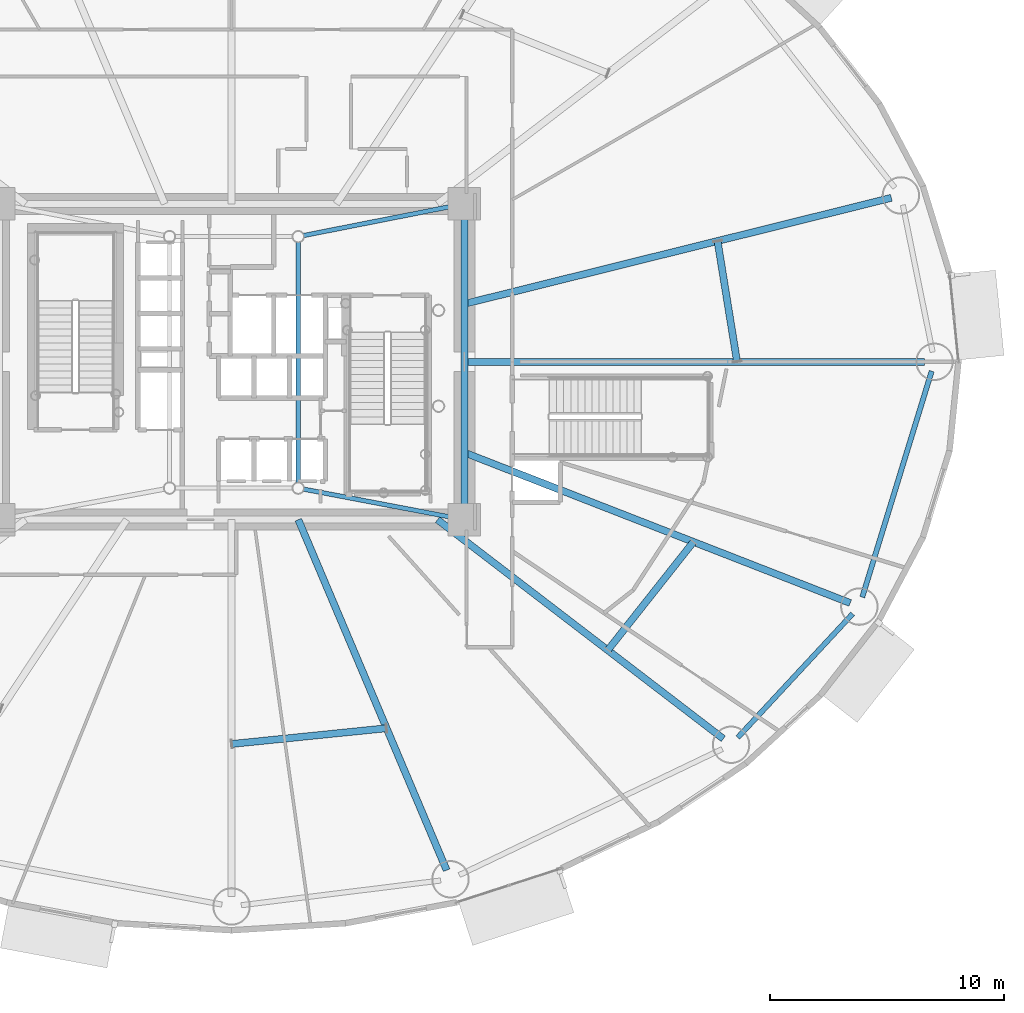
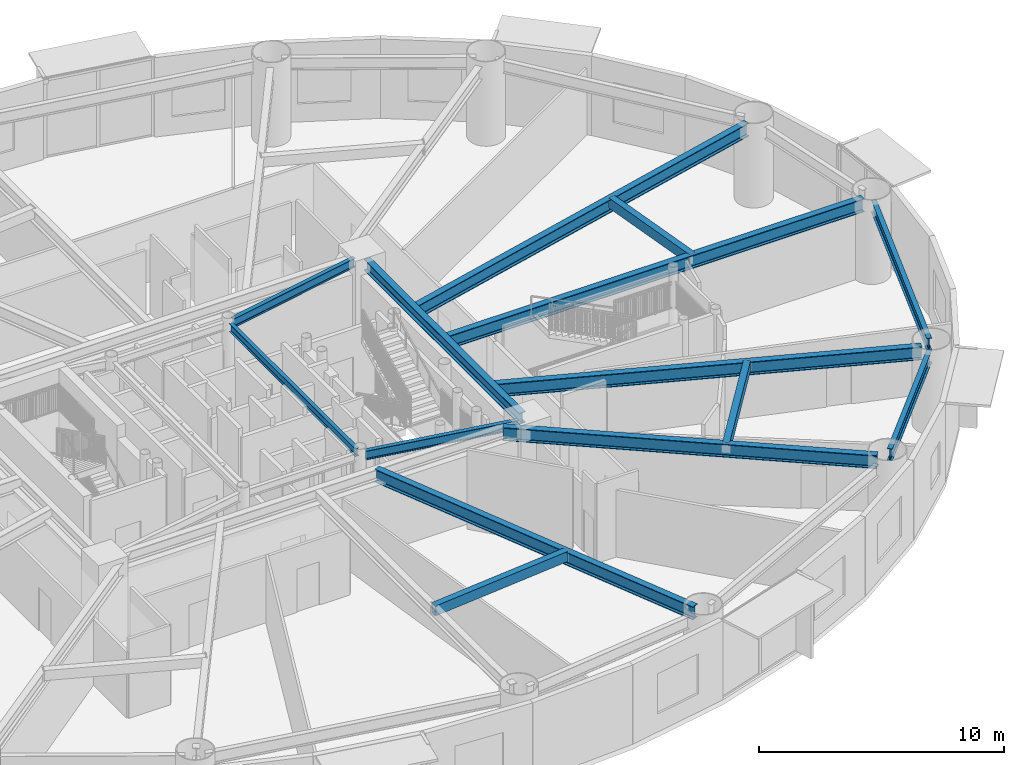
# One storey, part 8 of 35: 14 beams.
"""IFC4 building model written with IfcOpenShell, lengths in metres."""

from ifc_helpers import new_model, si_unit, direction, frame, origin, origin_2d, place, context, subcontext, project, spatial, hollow_rectangle, i_section, extrude, material, material_profile, profile_set, type_object, element, save


model = new_model("IFC4")

# Units and contexts
model_context = context("Model", 3, precision=1e-05, world=origin(), true_north=direction((0.0, 1.0)))
body_context = subcontext(model_context, "Body", "Model", "MODEL_VIEW")
ifc_project = project(units=[si_unit("LENGTHUNIT", "METRE"), si_unit("AREAUNIT", "SQUARE_METRE"), si_unit("VOLUMEUNIT", "CUBIC_METRE"), si_unit("PLANEANGLEUNIT", "RADIAN"), si_unit("MASSUNIT", "GRAM", prefix="KILO")], contexts=[model_context])

# Site, building, storey
site_placement = place(None, origin())
site = spatial("IfcSite", under=ifc_project, at=site_placement, CompositionType="ELEMENT")
building_placement = place(site_placement, origin())
building = spatial("IfcBuilding", under=site, at=building_placement, Name="Linh Dai School and Residence Tower", CompositionType="ELEMENT")
storey_placement = place(building_placement, frame((0.0, 0.0, 49.199951171875)))
storey = spatial("IfcBuildingStorey", under=building, at=storey_placement, Name="L11", CompositionType="ELEMENT", Elevation=49.199951171875)

# Beams
ifc_material = material(Name="Structural Steel S355JR", Category="steel")
ifc_material_profile_1 = material_profile(ifc_material, hollow_rectangle(XDim=0.300048828125, YDim=0.5, WallThickness=0.01611328125, at=origin_2d()), Name="RHS 500x300x16")
ifc_profile_set_1 = profile_set([ifc_material_profile_1], Name="Structural Steel S355JR")
beam_type_1 = type_object("IfcBeamType", Name="BM-BX5", PredefinedType="BEAM", material=ifc_profile_set_1)
beam_1_placement = place(storey_placement, frame((57.607177734375, 27.0048828125, 3.699951171875), z_axis=(-0.159632523434, 0.987176507754, 0.0), x_axis=(-0.987176507754, -0.159632523434, 0.0)))
element("IfcBeam", 1, at=beam_1_placement, inside=storey, type_object=beam_type_1, Name="L11 Secondary Circumferential Floor Beam 01", PredefinedType="BEAM", context=body_context, shape_type="SweptSolid", body=[
    extrude(hollow_rectangle(XDim=0.300048828125, YDim=0.5, WallThickness=0.01611328125, at=origin_2d()), origin(), (0.0, 0.0, 1.0), 5.21826171875),
])
beam_2_placement = place(storey_placement, frame((36.0048828125, 10.6630859375, 3.699951171875), z_axis=(0.99488448114, 0.10101915257, 0.0), x_axis=(-0.10101915257, 0.99488448114, 0.0)))
element("IfcBeam", 2, at=beam_2_placement, inside=storey, type_object=beam_type_1, Name="L11 Secondary Circumferential Floor Beam 07", PredefinedType="BEAM", context=body_context, shape_type="SweptSolid", body=[
    extrude(hollow_rectangle(XDim=0.300048828125, YDim=0.5, WallThickness=0.01611328125, at=origin_2d()), origin(), (0.0, 0.0, 1.0), 6.65087890625),
])
beam_3_placement = place(storey_placement, frame((52.085693359375, 14.6748046875, 3.699951171875), z_axis=(0.620188156993, 0.784453089691, 0.0), x_axis=(-0.784453089691, 0.620188156993, 0.0)))
element("IfcBeam", 3, at=beam_3_placement, inside=storey, type_object=beam_type_1, Name="L11 Secondary Circumferential Floor Beam 08", PredefinedType="BEAM", context=body_context, shape_type="SweptSolid", body=[
    extrude(hollow_rectangle(XDim=0.300048828125, YDim=0.5, WallThickness=0.01611328125, at=origin_2d()), origin(), (0.0, 0.0, 1.0), 5.89306640625),
])
ifc_material_profile_2 = material_profile(ifc_material, i_section(OverallWidth=0.219970703125, OverallDepth=0.60009765625, WebThickness=0.011962890625, FlangeThickness=0.01904296875, FilletRadius=0.02392578125, at=origin_2d()), Name="IPE 600")
ifc_profile_set_2 = profile_set([ifc_material_profile_2], Name="Structural Steel S355JR")
beam_type_2 = type_object("IfcBeamType", Name="BM-RB60", PredefinedType="BEAM", material=ifc_profile_set_2)
beam_4_placement = place(storey_placement, frame((57.638427734375, 10.938720703125, 3.650146484375), z_axis=(0.680408287194, 0.732833243458, 0.0), x_axis=(-0.732833243458, 0.680408287194, 0.0)))
element("IfcBeam", 4, at=beam_4_placement, inside=storey, type_object=beam_type_2, Name="L11 Perimeter Elliptical Ring Beam 15", PredefinedType="BEAM", context=body_context, shape_type="SweptSolid", body=[
    extrude(i_section(OverallWidth=0.219970703125, OverallDepth=0.60009765625, WebThickness=0.011962890625, FlangeThickness=0.01904296875, FilletRadius=0.02392578125, at=origin_2d()), origin(), (0.0, 0.0, 1.0), 7.21826171875),
])
beam_5_placement = place(storey_placement, frame((62.958740234375, 16.937744140625, 3.650146484375), z_axis=(0.293673329015, 0.95590584046, 0.0), x_axis=(-0.95590584046, 0.293673329015, 0.0)))
element("IfcBeam", 5, at=beam_5_placement, inside=storey, type_object=beam_type_2, Name="L11 Perimeter Elliptical Ring Beam 16", PredefinedType="BEAM", context=body_context, shape_type="SweptSolid", body=[
    extrude(i_section(OverallWidth=0.219970703125, OverallDepth=0.60009765625, WebThickness=0.011962890625, FlangeThickness=0.01904296875, FilletRadius=0.02392578125, at=origin_2d()), origin(), (0.0, 0.0, 1.0), 10.1064453125),
])
ifc_material_profile_3 = material_profile(ifc_material, i_section(OverallWidth=0.300048828125, OverallDepth=0.550048828125, WebThickness=0.014892578125, FlangeThickness=0.029052734375, FilletRadius=0.027099609375, at=origin_2d()), Name="HEB 550")
ifc_profile_set_3 = profile_set([ifc_material_profile_3], Name="Structural Steel S355JR")
beam_type_3 = type_object("IfcBeamType", Name="BM-RG55", PredefinedType="BEAM", material=ifc_profile_set_3)
beam_6_placement = place(storey_placement, frame((45.949951171875, 20.669921875, 3.675048828125), z_axis=(0.0, 1.0, 0.0), x_axis=(-1.0, 0.0, 0.0)))
element("IfcBeam", 6, at=beam_6_placement, inside=storey, type_object=beam_type_3, Name="L11 Core Perimeter Coupling Girder 2", PredefinedType="BEAM", context=body_context, shape_type="SweptSolid", body=[
    extrude(i_section(OverallWidth=0.300048828125, OverallDepth=0.550048828125, WebThickness=0.014892578125, FlangeThickness=0.029052734375, FilletRadius=0.027099609375, at=origin_2d()), origin(), (0.0, 0.0, 1.0), 12.66015625),
])
ifc_material_profile_4 = material_profile(ifc_material, i_section(OverallWidth=0.300048828125, OverallDepth=0.64990234375, WebThickness=0.01611328125, FlangeThickness=0.031005859375, FilletRadius=0.027099609375, at=origin_2d()), Name="HEB 650")
ifc_profile_set_4 = profile_set([ifc_material_profile_4], Name="Structural Steel S355JR")
beam_type_4 = type_object("IfcBeamType", Name="BM-RG65", PredefinedType="BEAM", material=ifc_profile_set_4)
beam_7_placement = place(storey_placement, frame((45.949951171875, 27.0, 3.625), z_axis=(1.0, 0.0, 0.0), x_axis=(0.0, 1.0, 0.0)))
element("IfcBeam", 7, at=beam_7_placement, inside=storey, type_object=beam_type_4, Name="L11 Primary Radial Floor Girder 01", PredefinedType="BEAM", context=body_context, shape_type="SweptSolid", body=[
    extrude(i_section(OverallWidth=0.300048828125, OverallDepth=0.64990234375, WebThickness=0.01611328125, FlangeThickness=0.031005859375, FilletRadius=0.027099609375, at=origin_2d()), origin(), (0.0, 0.0, 1.0), 19.679931640625),
])
beam_8_placement = place(storey_placement, frame((45.949951171875, 29.47216796875, 3.625), z_axis=(0.970493481328, 0.241127357843, 0.0), x_axis=(-0.241127357843, 0.970493481328, 0.0)))
element("IfcBeam", 8, at=beam_8_placement, inside=storey, type_object=beam_type_4, Name="L11 Primary Radial Floor Girder 02", PredefinedType="BEAM", context=body_context, shape_type="SweptSolid", body=[
    extrude(i_section(OverallWidth=0.300048828125, OverallDepth=0.64990234375, WebThickness=0.01611328125, FlangeThickness=0.031005859375, FilletRadius=0.027099609375, at=origin_2d()), origin(), (0.0, 0.0, 1.0), 18.80810546875),
])
beam_9_placement = place(storey_placement, frame((38.85546875, 20.25, 3.625), z_axis=(0.38962432485, -0.920973878829, 0.0), x_axis=(0.920973878829, 0.38962432485, 0.0)))
element("IfcBeam", 9, at=beam_9_placement, inside=storey, type_object=beam_type_4, Name="L11 Primary Radial Floor Girder 14", PredefinedType="BEAM", context=body_context, shape_type="SweptSolid", body=[
    extrude(i_section(OverallWidth=0.300048828125, OverallDepth=0.64990234375, WebThickness=0.01611328125, FlangeThickness=0.031005859375, FilletRadius=0.027099609375, at=origin_2d()), origin(), (0.0, 0.0, 1.0), 16.2685546875),
])
beam_10_placement = place(storey_placement, frame((44.804931640625, 20.25, 3.625), z_axis=(0.793637764155, -0.608390581212, 0.0), x_axis=(0.608390581212, 0.793637764155, 0.0)))
element("IfcBeam", 10, at=beam_10_placement, inside=storey, type_object=beam_type_4, Name="L11 Primary Radial Floor Girder 15", PredefinedType="BEAM", context=body_context, shape_type="SweptSolid", body=[
    extrude(i_section(OverallWidth=0.300048828125, OverallDepth=0.64990234375, WebThickness=0.01611328125, FlangeThickness=0.031005859375, FilletRadius=0.027099609375, at=origin_2d()), origin(), (0.0, 0.0, 1.0), 15.390625),
])
beam_11_placement = place(storey_placement, frame((45.949951171875, 23.120361328125, 3.625), z_axis=(0.93167509369, -0.363292609061, 0.0), x_axis=(0.363292609061, 0.93167509369, 0.0)))
element("IfcBeam", 11, at=beam_11_placement, inside=storey, type_object=beam_type_4, Name="L11 Primary Radial Floor Girder 16", PredefinedType="BEAM", context=body_context, shape_type="SweptSolid", body=[
    extrude(i_section(OverallWidth=0.300048828125, OverallDepth=0.64990234375, WebThickness=0.01611328125, FlangeThickness=0.031005859375, FilletRadius=0.027099609375, at=origin_2d()), origin(), (0.0, 0.0, 1.0), 17.703857421875),
])
ifc_material_profile_5 = material_profile(ifc_material, i_section(OverallWidth=0.179931640625, OverallDepth=0.39990234375, WebThickness=0.008544921875, FlangeThickness=0.013427734375, FilletRadius=0.02099609375, at=origin_2d()), Name="IPE 400")
ifc_profile_set_5 = profile_set([ifc_material_profile_5], Name="Structural Steel S355JR")
beam_type_5 = type_object("IfcBeamType", Name="BM-SB40", PredefinedType="BEAM", material=ifc_profile_set_5)
beam_12_placement = place(storey_placement, frame((38.85009765625, 21.823974609375, 3.75), z_axis=(0.0, 1.0, 0.0), x_axis=(-1.0, 0.0, 0.0)))
element("IfcBeam", 12, at=beam_12_placement, inside=storey, type_object=beam_type_5, Name="L11 Core Mast Pier Tie Beam 2", PredefinedType="BEAM", context=body_context, shape_type="SweptSolid", body=[
    extrude(i_section(OverallWidth=0.179931640625, OverallDepth=0.39990234375, WebThickness=0.008544921875, FlangeThickness=0.013427734375, FilletRadius=0.02099609375, at=origin_2d()), origin(), (0.0, 0.0, 1.0), 10.302001953125),
])
ifc_material_profile_6 = material_profile(ifc_material, i_section(OverallWidth=0.18994140625, OverallDepth=0.449951171875, WebThickness=0.009521484375, FlangeThickness=0.0146484375, FilletRadius=0.02099609375, at=origin_2d()), Name="IPE 450")
ifc_profile_set_6 = profile_set([ifc_material_profile_6], Name="Structural Steel S355JR")
beam_type_6 = type_object("IfcBeamType", Name="BM-SB45", PredefinedType="BEAM", material=ifc_profile_set_6)
beam_13_placement = place(storey_placement, frame((45.537353515625, 20.328369140625, 3.72509765625), z_axis=(-0.982397918823, 0.186800238471, 0.0), x_axis=(-0.186800238471, -0.982397918823, 0.0)))
element("IfcBeam", 13, at=beam_13_placement, inside=storey, type_object=beam_type_6, Name="L11 Core Corner-to-Mast Pier Beam 2", PredefinedType="BEAM", context=body_context, shape_type="SweptSolid", body=[
    extrude(i_section(OverallWidth=0.18994140625, OverallDepth=0.449951171875, WebThickness=0.009521484375, FlangeThickness=0.0146484375, FilletRadius=0.02099609375, at=origin_2d()), origin(), (0.0, 0.0, 1.0), 6.583251953125),
])
beam_14_placement = place(storey_placement, frame((45.537841796875, 33.668701171875, 3.72509765625), z_axis=(-0.981108354988, -0.193459028666, 0.0), x_axis=(0.193459028666, -0.981108354988, 0.0)))
element("IfcBeam", 14, at=beam_14_placement, inside=storey, type_object=beam_type_6, Name="L11 Core Corner-to-Mast Pier Beam 3", PredefinedType="BEAM", context=body_context, shape_type="SweptSolid", body=[
    extrude(i_section(OverallWidth=0.18994140625, OverallDepth=0.449951171875, WebThickness=0.009521484375, FlangeThickness=0.0146484375, FilletRadius=0.02099609375, at=origin_2d()), origin(), (0.0, 0.0, 1.0), 6.592529296875),
])

save(model, "model.ifc")
